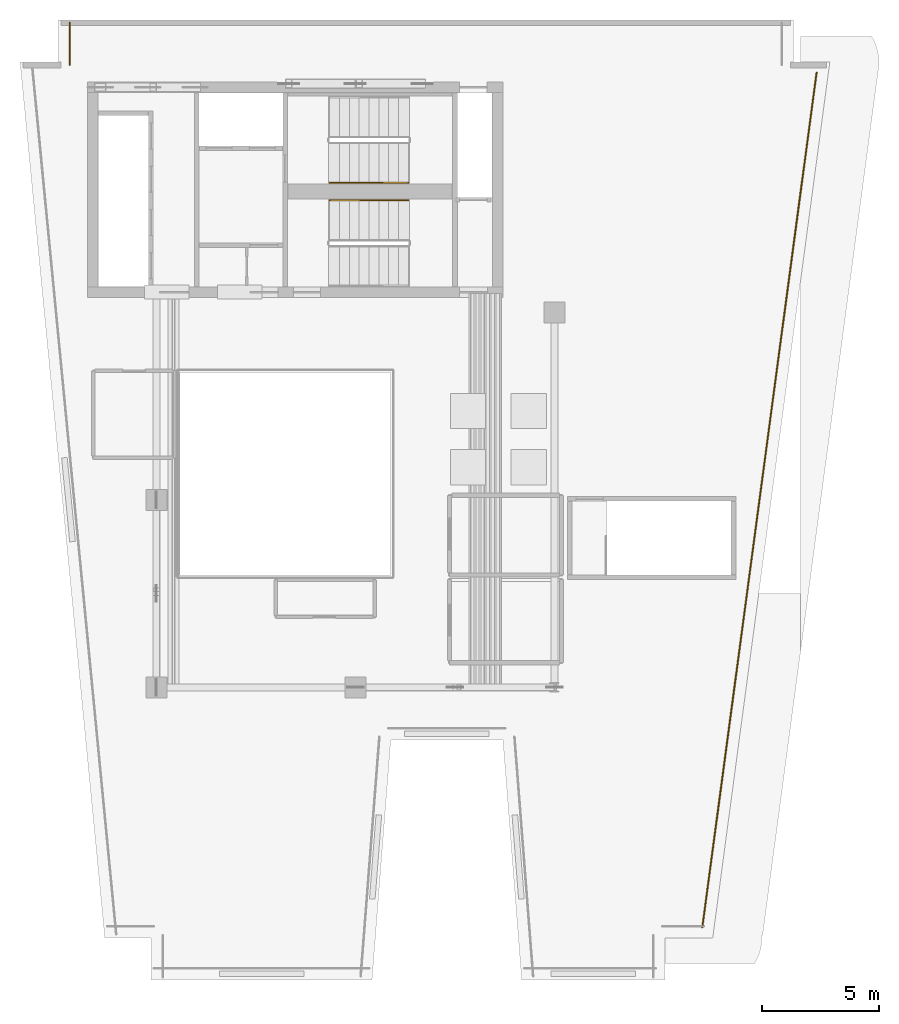
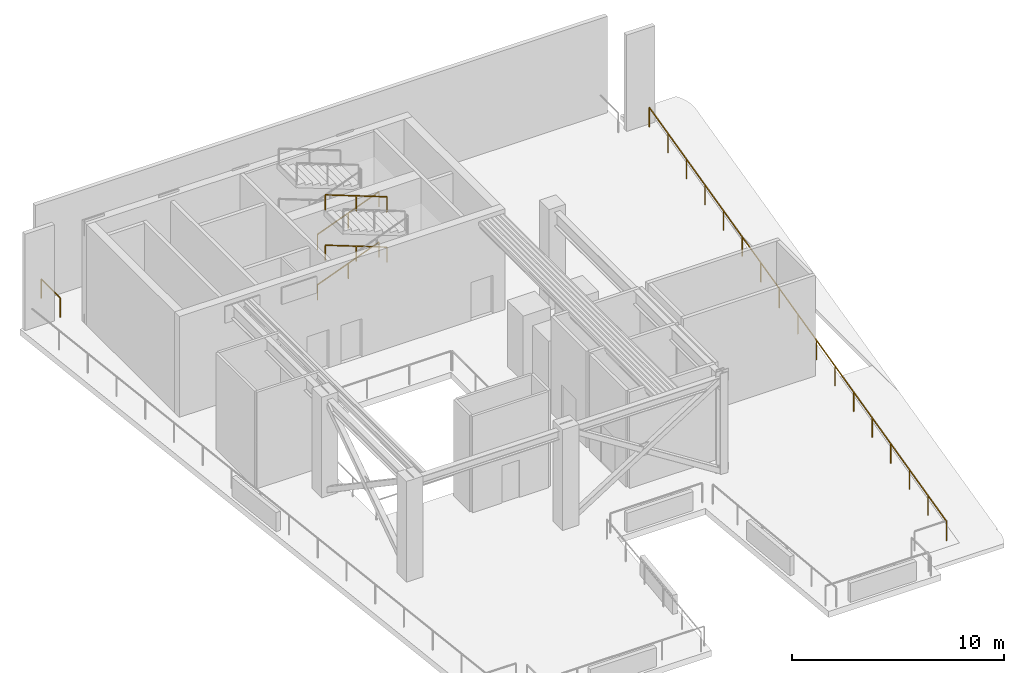
# One storey, part 6 of 8: 6 railings.
"""IFC4 building model written with IfcOpenShell, lengths in metres."""

from ifc_helpers import new_model, si_unit, direction, frame, origin, origin_2d, place, context, subcontext, project, spatial, rectangle, extrude, material, layer, layer_set, type_object, element, save


model = new_model("IFC4")

# Units and contexts
model_context = context("Model", 3, precision=1e-05, world=origin(), true_north=direction((0.0, 1.0)))
body_context = subcontext(model_context, "Body", "Model", "MODEL_VIEW")
ifc_project = project(units=[si_unit("LENGTHUNIT", "METRE"), si_unit("AREAUNIT", "SQUARE_METRE"), si_unit("VOLUMEUNIT", "CUBIC_METRE"), si_unit("PLANEANGLEUNIT", "RADIAN"), si_unit("MASSUNIT", "GRAM", prefix="KILO")], contexts=[model_context])

# Site, building, storey
site_placement = place(None, origin())
site = spatial("IfcSite", under=ifc_project, at=site_placement, CompositionType="ELEMENT")
building_placement = place(site_placement, origin())
building = spatial("IfcBuilding", under=site, at=building_placement, Name="Caeloran Harvest Quay", CompositionType="ELEMENT")
storey_placement = place(building_placement, frame((0.0, 0.0, 250.89990234375)))
storey = spatial("IfcBuildingStorey", under=building, at=storey_placement, Name="L60", CompositionType="ELEMENT", Elevation=250.89990234375)

# Railings
ifc_material_1 = material(Name="Laminated Safety Glass and Stainless Steel 316", Category="steel")
ifc_layer_1 = layer(ifc_material_1, 0.06005859375, Name="Laminated Safety Glass and Stainless Steel 316")
ifc_layer_set_1 = layer_set([ifc_layer_1], Name="Laminated Safety Glass and Stainless Steel 316")
railing_type_1 = type_object("IfcRailingType", Name="GUARD-BALUSTRADE-1150", PredefinedType="BALUSTRADE", material=ifc_layer_set_1)
railing_1_placement = place(storey_placement, frame((4.800048828125, 41.580078125, 0.0)))
element("IfcRailing", 1, at=railing_1_placement, inside=storey, type_object=railing_type_1, Name="L60 Open Refuge and Wind-Slot Perimeter Balustrade 5", PredefinedType="BALUSTRADE", context=body_context, shape_type="SweptSolid", body=[
    extrude(rectangle(XDim=0.048095703125, YDim=0.048095703125, at=origin_2d()), frame((0.0, 0.0, 1.1259765625), z_axis=(0.0, 1.0, 0.0), x_axis=(-1.0, 0.0, 0.0)), (0.0, 0.0, 1.0), 1.7998046875),
    extrude(rectangle(XDim=0.0419921875, YDim=0.0419921875, at=origin_2d()), origin(), (0.0, 0.0, 1.0), 1.101806640625),
    extrude(rectangle(XDim=0.0419921875, YDim=0.0419921875, at=origin_2d()), frame((0.0, 1.7998046875, 0.0)), (0.0, 0.0, 1.0), 1.101806640625),
])
railing_2_placement = place(storey_placement, frame((36.69482421875, 41.25, 0.0)))
element("IfcRailing", 2, at=railing_2_placement, inside=storey, type_object=railing_type_1, Name="L60 Open Refuge and Wind-Slot Perimeter Balustrade 9", PredefinedType="BALUSTRADE", context=body_context, shape_type="SweptSolid", body=[
    extrude(rectangle(XDim=0.048095703125, YDim=0.048095703125, at=origin_2d()), frame((0.0, 0.0, 1.1259765625), z_axis=(-0.132503308964, -0.991182562959, 0.0), x_axis=(0.991182562959, -0.132503308964, 0.0)), (0.0, 0.0, 1.0), 36.82470703125),
    extrude(rectangle(XDim=0.0419921875, YDim=0.0419921875, at=origin_2d()), origin(), (0.0, 0.0, 1.0), 1.101806640625),
    extrude(rectangle(XDim=0.0419921875, YDim=0.0419921875, at=origin_2d()), frame((-0.304931640625, -2.28125, 0.0)), (0.0, 0.0, 1.0), 1.101806640625),
    extrude(rectangle(XDim=0.0419921875, YDim=0.0419921875, at=origin_2d()), frame((-0.60986328125, -4.5625, 0.0)), (0.0, 0.0, 1.0), 1.101806640625),
    extrude(rectangle(XDim=0.0419921875, YDim=0.0419921875, at=origin_2d()), frame((-0.914794921875, -6.84375, 0.0)), (0.0, 0.0, 1.0), 1.101806640625),
    extrude(rectangle(XDim=0.0419921875, YDim=0.0419921875, at=origin_2d()), frame((-1.2197265625, -9.125, 0.0)), (0.0, 0.0, 1.0), 1.101806640625),
    extrude(rectangle(XDim=0.0419921875, YDim=0.0419921875, at=origin_2d()), frame((-1.52490234375, -11.40625, 0.0)), (0.0, 0.0, 1.0), 1.101806640625),
    extrude(rectangle(XDim=0.0419921875, YDim=0.0419921875, at=origin_2d()), frame((-1.829833984375, -13.6875, 0.0)), (0.0, 0.0, 1.0), 1.101806640625),
    extrude(rectangle(XDim=0.0419921875, YDim=0.0419921875, at=origin_2d()), frame((-2.134765625, -15.96875, 0.0)), (0.0, 0.0, 1.0), 1.101806640625),
    extrude(rectangle(XDim=0.0419921875, YDim=0.0419921875, at=origin_2d()), frame((-2.439697265625, -18.25, 0.0)), (0.0, 0.0, 1.0), 1.101806640625),
    extrude(rectangle(XDim=0.0419921875, YDim=0.0419921875, at=origin_2d()), frame((-2.74462890625, -20.53125, 0.0)), (0.0, 0.0, 1.0), 1.101806640625),
    extrude(rectangle(XDim=0.0419921875, YDim=0.0419921875, at=origin_2d()), frame((-3.049560546875, -22.8125, 0.0)), (0.0, 0.0, 1.0), 1.101806640625),
    extrude(rectangle(XDim=0.0419921875, YDim=0.0419921875, at=origin_2d()), frame((-3.3544921875, -25.09375, 0.0)), (0.0, 0.0, 1.0), 1.101806640625),
    extrude(rectangle(XDim=0.0419921875, YDim=0.0419921875, at=origin_2d()), frame((-3.65966796875, -27.375, 0.0)), (0.0, 0.0, 1.0), 1.101806640625),
    extrude(rectangle(XDim=0.0419921875, YDim=0.0419921875, at=origin_2d()), frame((-3.964599609375, -29.65625, 0.0)), (0.0, 0.0, 1.0), 1.101806640625),
    extrude(rectangle(XDim=0.0419921875, YDim=0.0419921875, at=origin_2d()), frame((-4.26953125, -31.9375, 0.0)), (0.0, 0.0, 1.0), 1.101806640625),
    extrude(rectangle(XDim=0.0419921875, YDim=0.0419921875, at=origin_2d()), frame((-4.574462890625, -34.21875, 0.0)), (0.0, 0.0, 1.0), 1.101806640625),
    extrude(rectangle(XDim=0.0419921875, YDim=0.0419921875, at=origin_2d()), frame((-4.87939453125, -36.5, 0.0)), (0.0, 0.0, 1.0), 1.101806640625),
])
ifc_material_2 = material(Name="Brushed Stainless Steel Grade 304", Category="steel")
ifc_layer_2 = layer(ifc_material_2, 0.050048828125, Name="Brushed Stainless Steel Grade 304")
ifc_layer_set_2 = layer_set([ifc_layer_2], Name="Brushed Stainless Steel Grade 304")
railing_type_2 = type_object("IfcRailingType", Name="STAIR-HANDRAIL-900", PredefinedType="HANDRAIL", material=ifc_layer_set_2)
railing_3_placement = place(storey_placement, frame((15.89990234375, 36.550048828125, 0.1611328125)))
element("IfcRailing", 3, at=railing_3_placement, inside=storey, type_object=railing_type_2, Name="L60 ST-C1 stair handrail 1", PredefinedType="HANDRAIL", context=body_context, shape_type="SweptSolid", body=[
    extrude(rectangle(XDim=0.048095703125, YDim=0.048095703125, at=origin_2d()), frame((0.0, 0.0, 0.8759765625), z_axis=(0.933651236505, 0.0, 0.358183428667), x_axis=(0.0, 1.0, 0.0)), (0.0, 0.0, 1.0), 3.598876953125),
    extrude(rectangle(XDim=0.0419921875, YDim=0.0419921875, at=origin_2d()), origin(), (0.0, 0.0, 1.0), 0.851806640625),
    extrude(rectangle(XDim=0.0419921875, YDim=0.0419921875, at=origin_2d()), frame((1.68017578125, 0.0, 0.64453125)), (0.0, 0.0, 1.0), 0.851806640625),
    extrude(rectangle(XDim=0.0419921875, YDim=0.0419921875, at=origin_2d()), frame((3.360107421875, 0.0, 1.2890625)), (0.0, 0.0, 1.0), 0.851806640625),
])
railing_4_placement = place(storey_placement, frame((15.89990234375, 36.550048828125, 3.061279296875)))
element("IfcRailing", 4, at=railing_4_placement, inside=storey, type_object=railing_type_2, Name="L60 ST-C1 stair handrail 3", PredefinedType="HANDRAIL", context=body_context, shape_type="SweptSolid", body=[
    extrude(rectangle(XDim=0.048095703125, YDim=0.048095703125, at=origin_2d()), frame((0.0, 0.0, 0.8759765625), z_axis=(0.933673921383, 0.0, 0.358124292013), x_axis=(0.0, 1.0, 0.0)), (0.0, 0.0, 1.0), 3.598876953125),
    extrude(rectangle(XDim=0.0419921875, YDim=0.0419921875, at=origin_2d()), origin(), (0.0, 0.0, 1.0), 0.851806640625),
    extrude(rectangle(XDim=0.0419921875, YDim=0.0419921875, at=origin_2d()), frame((1.68017578125, 0.0, 0.64453125)), (0.0, 0.0, 1.0), 0.851806640625),
    extrude(rectangle(XDim=0.0419921875, YDim=0.0419921875, at=origin_2d()), frame((3.360107421875, 0.0, 1.288818359375)), (0.0, 0.0, 1.0), 0.851806640625),
])
for number, where, name in (
    (5, (19.260009765625, 35.800048828125, 1.611328125), "L60 ST-C2 stair handrail 2"),
    (6, (19.260009765625, 35.800048828125, 4.51123046875), "L60 ST-C2 stair handrail 4"),
):
    element("IfcRailing", number, at=place(storey_placement, frame(where)), inside=storey, type_object=railing_type_2, Name=name, PredefinedType="HANDRAIL", context=body_context, shape_type="SweptSolid", body=[
        extrude(rectangle(XDim=0.048095703125, YDim=0.048095703125, at=origin_2d()), frame((0.0, 0.0, 0.8759765625), z_axis=(-0.933673921383, 0.0, 0.358124292013), x_axis=(0.0, -1.0, 0.0)), (0.0, 0.0, 1.0), 3.598876953125),
        extrude(rectangle(XDim=0.0419921875, YDim=0.0419921875, at=origin_2d()), origin(), (0.0, 0.0, 1.0), 0.851806640625),
        extrude(rectangle(XDim=0.0419921875, YDim=0.0419921875, at=origin_2d()), frame((-1.68017578125, 0.0, 0.64453125)), (0.0, 0.0, 1.0), 0.851806640625),
        extrude(rectangle(XDim=0.0419921875, YDim=0.0419921875, at=origin_2d()), frame((-3.360107421875, 0.0, 1.288818359375)), (0.0, 0.0, 1.0), 0.851806640625),
    ])

save(model, "model.ifc")
